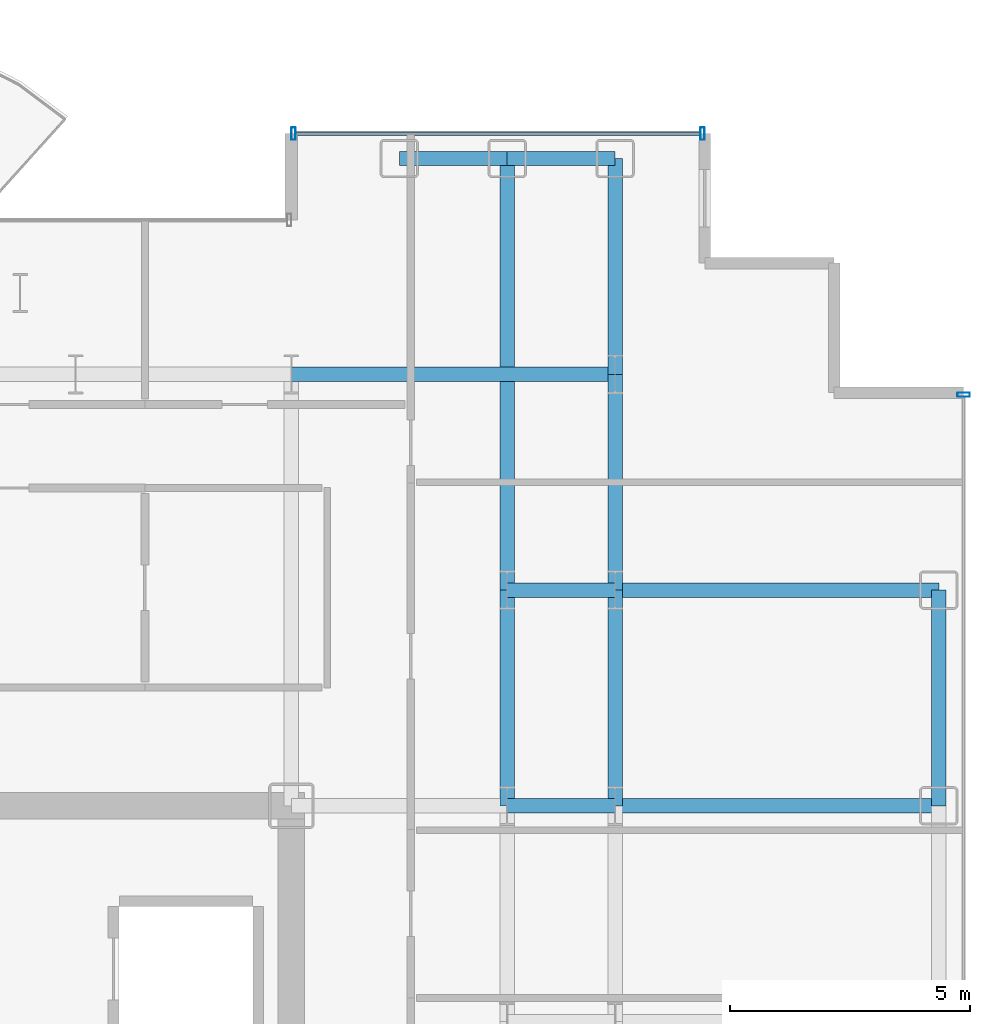
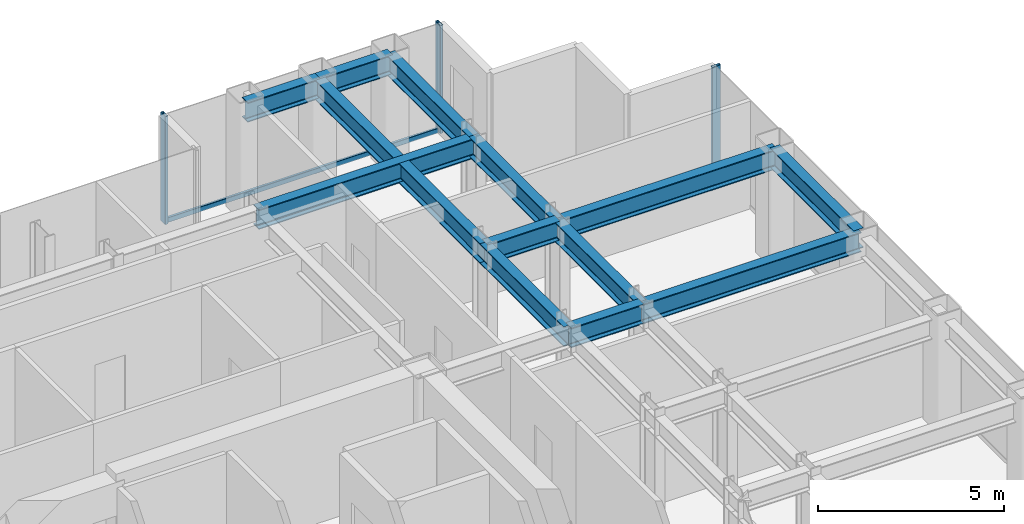
# One storey, part 13 of 23: 13 beams, 4 members, 2 elements without a shape of their own.
"""IFC4 building model written with IfcOpenShell, lengths in metres."""

from ifc_helpers import new_model, si_unit, direction, frame, origin, origin_2d, place, context, subcontext, project, spatial, hollow_rectangle, i_section, extrude, source, transform, mapped, material, layer, layer_set, material_profile, profile_set, type_object, element, aggregate, save


model = new_model("IFC4")

# Units and contexts
model_context = context("Model", 3, precision=1e-05, world=origin(), true_north=direction((0.0, 1.0)))
body_context = subcontext(model_context, "Body", "Model", "MODEL_VIEW")
ifc_project = project(units=[si_unit("LENGTHUNIT", "METRE"), si_unit("AREAUNIT", "SQUARE_METRE"), si_unit("VOLUMEUNIT", "CUBIC_METRE"), si_unit("PLANEANGLEUNIT", "RADIAN"), si_unit("MASSUNIT", "GRAM", prefix="KILO")], contexts=[model_context])

# Site, building, storey
site_placement = place(None, origin())
site = spatial("IfcSite", under=ifc_project, at=site_placement, CompositionType="ELEMENT")
building_placement = place(site_placement, origin())
building = spatial("IfcBuilding", under=site, at=building_placement, Name="Nefas-Gora Pilgrimage Tower", CompositionType="ELEMENT")
storey_placement = place(building_placement, frame((0.0, 0.0, 156.39990234375)))
storey = spatial("IfcBuildingStorey", under=building, at=storey_placement, Name="L38", CompositionType="ELEMENT", Elevation=156.39990234375)

# Beams
ifc_material_1 = material(Name="Steel S355", Category="steel")
ifc_material_profile_1 = material_profile(ifc_material_1, i_section(OverallWidth=0.300048828125, OverallDepth=0.64990234375, WebThickness=0.01611328125, FlangeThickness=0.031005859375, FilletRadius=0.027099609375, at=origin_2d()), Name="HEB 650")
ifc_profile_set_1 = profile_set([ifc_material_profile_1], Name="Steel S355")
beam_type_1 = type_object("IfcBeamType", Name="BM-SPN-HEB500", PredefinedType="SPANDREL", material=ifc_profile_set_1)
shared_shape_1 = source(origin(), body_context, "Body", "SweptSolid", [
    extrude(i_section(OverallWidth=0.300048828125, OverallDepth=0.64990234375, WebThickness=0.01611328125, FlangeThickness=0.031005859375, FilletRadius=0.027099609375, at=origin_2d()), origin(), (0.0, 0.0, 1.0), 4.5),
])
beam_1_placement = place(storey_placement, frame((24.75, 9.0, 3.22509765625), z_axis=(0.0, 1.0, 0.0), x_axis=(-1.0, 0.0, 0.0)))
element("IfcBeam", 1, at=beam_1_placement, inside=storey, type_object=beam_type_1, Name="L38 SP-02 beam", PredefinedType="SPANDREL", context=body_context, shape_type="MappedRepresentation", body=[
    mapped(shared_shape_1, transform((0.0, 0.0, 0.0), x_axis=(1.0, 0.0, 0.0), y_axis=(0.0, 1.0, 0.0), z_axis=(0.0, 0.0, 1.0), scale=1.0)),
])
ifc_material_profile_2 = material_profile(ifc_material_1, i_section(OverallWidth=0.300048828125, OverallDepth=0.64990234375, WebThickness=0.01611328125, FlangeThickness=0.031005859375, FilletRadius=0.027099609375, at=origin_2d()), Name="HEB 650")
ifc_profile_set_2 = profile_set([ifc_material_profile_2], Name="Steel S355")
beam_type_2 = type_object("IfcBeamType", Name="BM-GIR-HEB650", PredefinedType="BEAM", material=ifc_profile_set_2)
shared_shape_2 = source(origin(), body_context, "Body", "SweptSolid", [
    extrude(i_section(OverallWidth=0.300048828125, OverallDepth=0.64990234375, WebThickness=0.01611328125, FlangeThickness=0.031005859375, FilletRadius=0.027099609375, at=origin_2d()), origin(), (0.0, 0.0, 1.0), 9.0),
])
beam_2_placement = place(storey_placement, frame((15.75, 13.5, 3.22509765625), z_axis=(0.0, 1.0, 0.0), x_axis=(-1.0, 0.0, 0.0)))
element("IfcBeam", 2, at=beam_2_placement, inside=storey, type_object=beam_type_2, Name="L38 G-03 beam", PredefinedType="BEAM", context=body_context, shape_type="MappedRepresentation", body=[
    mapped(shared_shape_2, transform((0.0, 0.0, 0.0), x_axis=(1.0, 0.0, 0.0), y_axis=(0.0, 1.0, 0.0), z_axis=(0.0, 0.0, 1.0), scale=1.0)),
])
shared_shape_3 = source(origin(), body_context, "Body", "SweptSolid", [
    extrude(i_section(OverallWidth=0.300048828125, OverallDepth=0.64990234375, WebThickness=0.01611328125, FlangeThickness=0.031005859375, FilletRadius=0.027099609375, at=origin_2d()), origin(), (0.0, 0.0, 1.0), 4.5),
])
for number, where, z_axis, x_axis, name in (
    (3, (15.75, 9.0, 3.22509765625), (0.0, 1.0, 0.0), (-1.0, 0.0, 0.0), "L38 G-03 beam"),
    (4, (18.0, 9.0, 3.22509765625), (0.0, 1.0, 0.0), (-1.0, 0.0, 0.0), "L38 G-03 beam"),
    (5, (18.0, 13.5, 3.22509765625), (0.0, 1.0, 0.0), (-1.0, 0.0, 0.0), "L38 G-03 beam"),
    (6, (18.0, 18.0, 3.22509765625), (0.0, 1.0, 0.0), (-1.0, 0.0, 0.0), "L38 G-03 beam"),
):
    element("IfcBeam", number, at=place(storey_placement, frame(where, z_axis=z_axis, x_axis=x_axis)), inside=storey, type_object=beam_type_2, Name=name, PredefinedType="BEAM", context=body_context, shape_type="MappedRepresentation", body=[
        mapped(shared_shape_3, transform((0.0, 0.0, 0.0), x_axis=(1.0, 0.0, 0.0), y_axis=(0.0, 1.0, 0.0), z_axis=(0.0, 0.0, 1.0), scale=1.0)),
    ])
shared_shape_4 = source(origin(), body_context, "Body", "SweptSolid", [
    extrude(i_section(OverallWidth=0.300048828125, OverallDepth=0.64990234375, WebThickness=0.01611328125, FlangeThickness=0.031005859375, FilletRadius=0.027099609375, at=origin_2d()), origin(), (0.0, 0.0, 1.0), 6.75),
])
for number, where, z_axis, x_axis, name in (
    (7, (11.25, 18.0, 3.22509765625), (1.0, 0.0, 0.0), (0.0, 1.0, 0.0), "L38 G-03 beam"),
    (8, (18.0, 9.0, 3.22509765625), (1.0, 0.0, 0.0), (0.0, 1.0, 0.0), "L38 G-03 beam"),
    (9, (18.0, 13.5, 3.22509765625), (1.0, 0.0, 0.0), (0.0, 1.0, 0.0), "L38 G-03 beam"),
):
    element("IfcBeam", number, at=place(storey_placement, frame(where, z_axis=z_axis, x_axis=x_axis)), inside=storey, type_object=beam_type_2, Name=name, PredefinedType="BEAM", context=body_context, shape_type="MappedRepresentation", body=[
        mapped(shared_shape_4, transform((0.0, 0.0, 0.0), x_axis=(1.0, 0.0, 0.0), y_axis=(0.0, 1.0, 0.0), z_axis=(0.0, 0.0, 1.0), scale=1.0)),
    ])
shared_shape_5 = source(origin(), body_context, "Body", "SweptSolid", [
    extrude(i_section(OverallWidth=0.300048828125, OverallDepth=0.64990234375, WebThickness=0.01611328125, FlangeThickness=0.031005859375, FilletRadius=0.027099609375, at=origin_2d()), origin(), (0.0, 0.0, 1.0), 2.25),
])
for number, where, z_axis, x_axis, name in (
    (10, (13.5, 22.5, 3.22509765625), (1.0, 0.0, 0.0), (0.0, 1.0, 0.0), "L38 SP-02 beam"),
    (11, (15.75, 22.5, 3.22509765625), (1.0, 0.0, 0.0), (0.0, 1.0, 0.0), "L38 SP-02 beam"),
):
    element("IfcBeam", number, at=place(storey_placement, frame(where, z_axis=z_axis, x_axis=x_axis)), inside=storey, type_object=beam_type_1, Name=name, PredefinedType="SPANDREL", context=body_context, shape_type="MappedRepresentation", body=[
        mapped(shared_shape_5, transform((0.0, 0.0, 0.0), x_axis=(1.0, 0.0, 0.0), y_axis=(0.0, 1.0, 0.0), z_axis=(0.0, 0.0, 1.0), scale=1.0)),
    ])
shared_shape_6 = source(origin(), body_context, "Body", "SweptSolid", [
    extrude(i_section(OverallWidth=0.300048828125, OverallDepth=0.64990234375, WebThickness=0.01611328125, FlangeThickness=0.031005859375, FilletRadius=0.027099609375, at=origin_2d()), origin(), (0.0, 0.0, 1.0), 2.25),
])
for number, where, z_axis, x_axis, name in (
    (12, (15.75, 9.0, 3.22509765625), (1.0, 0.0, 0.0), (0.0, 1.0, 0.0), "L38 G-03 beam"),
    (13, (15.75, 13.5, 3.22509765625), (1.0, 0.0, 0.0), (0.0, 1.0, 0.0), "L38 G-03 beam"),
):
    element("IfcBeam", number, at=place(storey_placement, frame(where, z_axis=z_axis, x_axis=x_axis)), inside=storey, type_object=beam_type_2, Name=name, PredefinedType="BEAM", context=body_context, shape_type="MappedRepresentation", body=[
        mapped(shared_shape_6, transform((0.0, 0.0, 0.0), x_axis=(1.0, 0.0, 0.0), y_axis=(0.0, 1.0, 0.0), z_axis=(0.0, 0.0, 1.0), scale=1.0)),
    ])

# Curtain wall, member
ifc_material_2 = material(Name="Dark ceramic-fritted solar-control aluminium-glass curtain wall", Category="aluminium")
ifc_layer = layer(ifc_material_2, 0.219970703125)
ifc_layer_set = layer_set([ifc_layer], Name="Dark ceramic-fritted solar-control aluminium-glass curtain wall")
curtain_wall_type = type_object("IfcCurtainWallType", Name="CW-SYS-3", PredefinedType="NOTDEFINED", material=ifc_layer_set)
curtain_wall_1_placement = place(storey_placement, origin())
curtain_wall_1 = element("IfcCurtainWall", 14, at=curtain_wall_1_placement, inside=storey, type_object=curtain_wall_type, Name="L38 Unitised Curtain Wall CW3", PredefinedType="NOTDEFINED")
ifc_material_3 = material(Name="Anodised architectural aluminium", Category="aluminium")
ifc_material_profile_3 = material_profile(ifc_material_3, hollow_rectangle(XDim=0.090087890625, YDim=0.260009765625, WallThickness=0.006103515625, InnerFilletRadius=0.006103515625, OuterFilletRadius=0.011962890625, at=origin_2d()), Name="ALU MULLION 90x260")
ifc_profile_set_3 = profile_set([ifc_material_profile_3], Name="Anodised architectural aluminium")
member_type_1 = type_object("IfcMemberType", Name="CWM-MUL-3", PredefinedType="MULLION", material=ifc_profile_set_3)
shared_shape_7 = source(origin(), body_context, "Body", "SweptSolid", [
    extrude(hollow_rectangle(XDim=0.090087890625, YDim=0.260009765625, WallThickness=0.006103515625, InnerFilletRadius=0.006103515625, OuterFilletRadius=0.011962890625, at=origin_2d()), origin(), (0.0, 0.0, 1.0), 3.550048828125),
])
member_1_placement = place(storey_placement, frame((25.27001953125, 17.574951171875, 0.0), z_axis=(0.0, 0.0, 1.0), x_axis=(0.0, 1.0, 0.0)))
member_1 = element("IfcMember", 15, at=member_1_placement, type_object=member_type_1, Name="CW3 Mullion 2", PredefinedType="MULLION", context=body_context, shape_type="MappedRepresentation", body=[
    mapped(shared_shape_7, transform((0.0, 0.0, 0.0), x_axis=(1.0, 0.0, 0.0), y_axis=(0.0, 1.0, 0.0), z_axis=(0.0, 0.0, 1.0), scale=1.0)),
])
aggregate(curtain_wall_1, [member_1])

# Curtain wall, members
curtain_wall_2_placement = place(storey_placement, origin())
curtain_wall_2 = element("IfcCurtainWall", 16, at=curtain_wall_2_placement, inside=storey, type_object=curtain_wall_type, Name="L38 Unitised Curtain Wall CW3", PredefinedType="NOTDEFINED")
member_2_placement = place(storey_placement, frame((19.824951171875, 23.02001953125, 0.0), z_axis=(0.0, 0.0, 1.0), x_axis=(-1.0, 0.0, 0.0)))
member_2 = element("IfcMember", 17, at=member_2_placement, type_object=member_type_1, Name="CW3 Mullion 1", PredefinedType="MULLION", context=body_context, shape_type="MappedRepresentation", body=[
    mapped(shared_shape_7, transform((0.0, 0.0, 0.0), x_axis=(1.0, 0.0, 0.0), y_axis=(0.0, 1.0, 0.0), z_axis=(0.0, 0.0, 1.0), scale=1.0)),
])
member_3_placement = place(storey_placement, frame((11.294921875, 23.02001953125, 0.0), z_axis=(0.0, 0.0, 1.0), x_axis=(-1.0, 0.0, 0.0)))
member_3 = element("IfcMember", 18, at=member_3_placement, type_object=member_type_1, Name="CW3 Mullion 2", PredefinedType="MULLION", context=body_context, shape_type="MappedRepresentation", body=[
    mapped(shared_shape_7, transform((0.0, 0.0, 0.0), x_axis=(1.0, 0.0, 0.0), y_axis=(0.0, 1.0, 0.0), z_axis=(0.0, 0.0, 1.0), scale=1.0)),
])
ifc_material_profile_4 = material_profile(ifc_material_3, hollow_rectangle(XDim=0.080078125, YDim=0.159912109375, WallThickness=0.00439453125, InnerFilletRadius=0.00439453125, OuterFilletRadius=0.009033203125, at=origin_2d()), Name="ALU TRANSOM 80x160")
ifc_profile_set_4 = profile_set([ifc_material_profile_4], Name="Anodised architectural aluminium")
member_type_2 = type_object("IfcMemberType", Name="CWM-TRN-3", PredefinedType="USERDEFINED", material=ifc_profile_set_4)
shared_shape_8 = source(origin(), body_context, "Body", "SweptSolid", [
    extrude(hollow_rectangle(XDim=0.080078125, YDim=0.159912109375, WallThickness=0.00439453125, InnerFilletRadius=0.00439453125, OuterFilletRadius=0.009033203125, at=origin_2d()), origin(), (0.0, 0.0, 1.0), 8.43994140625),
])
member_4_placement = place(storey_placement, frame((19.780029296875, 23.02001953125, 0.050048828125), z_axis=(-1.0, 0.0, 0.0), x_axis=(0.0, -1.0, 0.0)))
member_4 = element("IfcMember", 19, at=member_4_placement, type_object=member_type_2, Name="CW3 Spandrel Transom", ObjectType="TRANSOM", PredefinedType="USERDEFINED", context=body_context, shape_type="MappedRepresentation", body=[
    mapped(shared_shape_8, transform((0.0, 0.0, 0.0), x_axis=(1.0, 0.0, 0.0), y_axis=(0.0, 1.0, 0.0), z_axis=(0.0, 0.0, 1.0), scale=1.0)),
])
aggregate(curtain_wall_2, [member_2, member_3, member_4])

save(model, "model.ifc")
